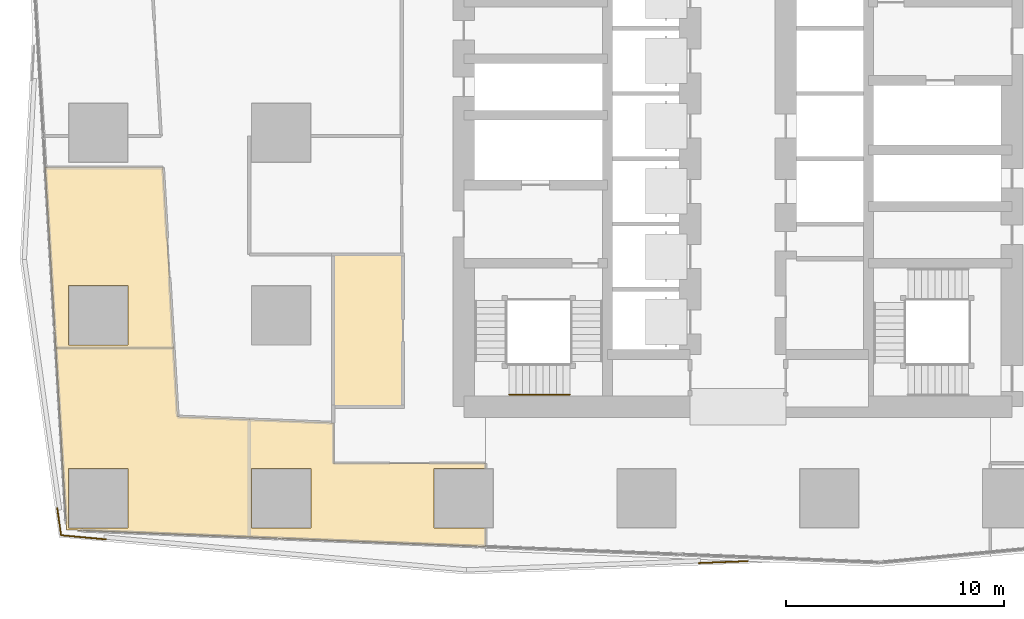
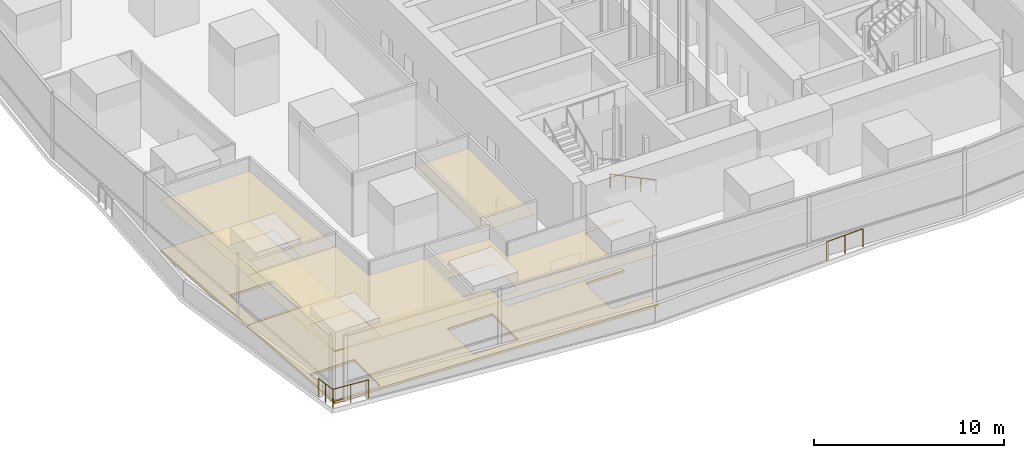
# One storey, part 19 of 39: 5 coverings, 4 railings.
"""IFC4 building model written with IfcOpenShell, lengths in metres."""

from ifc_helpers import new_model, si_unit, direction, frame, origin, origin_2d, place, context, subcontext, project, spatial, polyline, circle, outline, extrude, material, layer, layer_set, type_object, element, save


model = new_model("IFC4")

# Units and contexts
model_context = context("Model", 3, precision=1e-05, world=origin(), true_north=direction((0.0, 1.0)))
body_context = subcontext(model_context, "Body", "Model", "MODEL_VIEW")
ifc_project = project(units=[si_unit("LENGTHUNIT", "METRE"), si_unit("AREAUNIT", "SQUARE_METRE"), si_unit("VOLUMEUNIT", "CUBIC_METRE"), si_unit("PLANEANGLEUNIT", "RADIAN"), si_unit("MASSUNIT", "GRAM", prefix="KILO")], contexts=[model_context])

# Site, building, storey
site_placement = place(None, origin())
site = spatial("IfcSite", under=ifc_project, at=site_placement, CompositionType="ELEMENT")
building_placement = place(site_placement, origin())
building = spatial("IfcBuilding", under=site, at=building_placement, Name="Rekha Terrace Tower", CompositionType="ELEMENT")
storey_placement = place(building_placement, frame((0.0, 0.0, 168.199951171875)))
storey = spatial("IfcBuildingStorey", under=building, at=storey_placement, Name="L42", CompositionType="ELEMENT", Elevation=168.199951171875)

# Coverings
ifc_material_1 = material(Name="Mineral fibre tile in exposed grid", Category="finish")
ifc_layer_1 = layer(ifc_material_1, 0.02001953125)
ifc_layer_set_1 = layer_set([ifc_layer_1], Name="Mineral fibre tile in exposed grid")
covering_type_1 = type_object("IfcCoveringType", Name="CL1 600x1200 office grid ceiling", PredefinedType="CEILING", material=ifc_layer_set_1)
covering_1_placement = place(storey_placement, frame((0.0, 0.0, 3.330078125)))
element("IfcCovering", 1, at=covering_1_placement, inside=storey, type_object=covering_type_1, Name="Ceiling L42-14", PredefinedType="CEILING", context=body_context, shape_type="SweptSolid", body=[
    extrude(outline(polyline([(6.447021484375, 23.702880859375), (11.85595703125, 23.702880859375), (11.368896484375, 31.989990234375), (5.958984375, 31.989990234375), (6.447021484375, 23.702880859375)]), holes=[polyline([(9.764892578125, 23.8349609375), (7.034912109375, 23.8349609375), (7.034912109375, 26.56494140625), (9.764892578125, 26.56494140625), (9.764892578125, 23.8349609375)])]), origin(), (0.0, 0.0, 1.0), 0.02001953125),
])
covering_2_placement = place(storey_placement, frame((0.0, 0.0, 3.330078125)))
element("IfcCovering", 2, at=covering_2_placement, inside=storey, type_object=covering_type_1, Name="Ceiling L42-15", PredefinedType="CEILING", context=body_context, shape_type="SweptSolid", body=[
    extrude(outline(polyline([(12.0419921875, 20.5439453125), (11.85595703125, 23.701904296875), (6.447021484375, 23.701904296875), (6.93896484375, 15.343017578125), (15.342041015625, 15.008056640625), (26.198974609375, 14.573974609375), (26.198974609375, 15.43505859375), (23.8349609375, 15.43505859375), (23.8349609375, 18.1650390625), (26.198974609375, 18.1650390625), (26.198974609375, 18.39990234375), (19.199951171875, 18.39990234375), (19.199951171875, 20.258056640625), (15.340087890625, 20.412109375), (12.0419921875, 20.5439453125)]), holes=[polyline([(18.1650390625, 18.1650390625), (18.1650390625, 15.43505859375), (15.43505859375, 15.43505859375), (15.43505859375, 18.1650390625), (18.1650390625, 18.1650390625)]), polyline([(9.764892578125, 18.1650390625), (9.764892578125, 15.43505859375), (7.034912109375, 15.43505859375), (7.034912109375, 18.1650390625), (9.764892578125, 18.1650390625)])]), origin(), (0.0, 0.0, 1.0), 0.02001953125),
])
ifc_material_2 = material(Name="Fibre cement board", Category="finish")
ifc_layer_2 = layer(ifc_material_2, 0.014892578125)
ifc_layer_set_2 = layer_set([ifc_layer_2], Name="Fibre cement board")
covering_type_2 = type_object("IfcCoveringType", Name="CL2 moisture-resistant board ceiling", PredefinedType="CEILING", material=ifc_layer_set_2)
covering_3_placement = place(storey_placement, frame((0.0, 0.0, 3.3349609375)))
element("IfcCovering", 3, at=covering_3_placement, inside=storey, type_object=covering_type_2, Name="Ceiling L42-WCM", PredefinedType="CEILING", context=body_context, shape_type="SweptSolid", body=[
    extrude(outline(polyline([(22.39990234375, 28.0), (19.199951171875, 28.0), (19.199951171875, 21.0), (22.39990234375, 21.0), (22.39990234375, 28.0)])), origin(), (0.0, 0.0, 1.0), 0.01513671875),
])

# Railings
ifc_material_3 = material(Name="Steel guard with vertical balusters", Category="steel")
railing_type_1 = type_object("IfcRailingType", Name="GR2 refuge area guard 1200", PredefinedType="GUARDRAIL", material=ifc_material_3)
railing_1_placement = place(storey_placement, frame((6.51171875, 16.342529296875, 0.0)))
element("IfcRailing", 4, at=railing_1_placement, inside=storey, type_object=railing_type_1, Name="Ledge corner guard", PredefinedType="GUARDRAIL", context=body_context, shape_type="SweptSolid", body=[
    extrude(circle(Radius=0.02392578125, at=origin_2d()), frame((0.0, 0.0, 1.17578125), z_axis=(0.139634118543, -0.990203167506, 0.0), x_axis=(0.990203167506, 0.139634118543, 0.0)), (0.0, 0.0, 1.0), 1.262451171875),
    extrude(circle(Radius=0.02099609375, at=origin_2d()), origin(), (0.0, 0.0, 1.0), 1.15185546875),
    extrude(circle(Radius=0.02099609375, at=origin_2d()), frame((0.088134765625, -0.625, 0.0)), (0.0, 0.0, 1.0), 1.15185546875),
    extrude(circle(Radius=0.02099609375, at=origin_2d()), frame((0.17626953125, -1.25, 0.0)), (0.0, 0.0, 1.0), 1.15185546875),
])
railing_2_placement = place(storey_placement, frame((6.68798828125, 15.092529296875, 0.0)))
element("IfcRailing", 5, at=railing_2_placement, inside=storey, type_object=railing_type_1, Name="Ledge corner guard", PredefinedType="GUARDRAIL", context=body_context, shape_type="SweptSolid", body=[
    extrude(circle(Radius=0.02392578125, at=origin_2d()), frame((0.0, 0.0, 1.17578125), z_axis=(0.995894172569, -0.090525118302, 0.0), x_axis=(0.090525118302, 0.995894172569, 0.0)), (0.0, 0.0, 1.0), 2.0712890625),
    extrude(circle(Radius=0.02099609375, at=origin_2d()), origin(), (0.0, 0.0, 1.0), 1.15185546875),
    extrude(circle(Radius=0.02099609375, at=origin_2d()), frame((1.03125, -0.09375, 0.0)), (0.0, 0.0, 1.0), 1.15185546875),
    extrude(circle(Radius=0.02099609375, at=origin_2d()), frame((2.062744140625, -0.1875, 0.0)), (0.0, 0.0, 1.0), 1.15185546875),
])
railing_3_placement = place(storey_placement, frame((35.991943359375, 13.8154296875, 0.0)))
element("IfcRailing", 6, at=railing_3_placement, inside=storey, type_object=railing_type_1, Name="Ledge corner guard", PredefinedType="GUARDRAIL", context=body_context, shape_type="SweptSolid", body=[
    extrude(circle(Radius=0.02392578125, at=origin_2d()), frame((0.0, 0.0, 1.17578125), z_axis=(0.999245103914, 0.038848710451, 0.0), x_axis=(-0.038848710451, 0.999245103914, 0.0)), (0.0, 0.0, 1.0), 2.256103515625),
    extrude(circle(Radius=0.02099609375, at=origin_2d()), origin(), (0.0, 0.0, 1.0), 1.15185546875),
    extrude(circle(Radius=0.02099609375, at=origin_2d()), frame((1.127197265625, 0.0439453125, 0.0)), (0.0, 0.0, 1.0), 1.15185546875),
    extrude(circle(Radius=0.02099609375, at=origin_2d()), frame((2.25439453125, 0.087646484375, 0.0)), (0.0, 0.0, 1.0), 1.15185546875),
])
ifc_material_4 = material(Name="Stainless steel tube", Category="steel")
railing_type_2 = type_object("IfcRailingType", Name="HR1 900 stair handrail", PredefinedType="HANDRAIL", material=ifc_material_4)
railing_4_placement = place(storey_placement, frame((30.074951171875, 21.56005859375, 1.650146484375)))
element("IfcRailing", 7, at=railing_4_placement, inside=storey, type_object=railing_type_2, Name="Handrail ST1 L42 flight 2", PredefinedType="HANDRAIL", context=body_context, shape_type="SweptSolid", body=[
    extrude(circle(Radius=0.02392578125, at=origin_2d()), frame((0.0, 0.0, 0.8759765625), z_axis=(-0.900180171504, 0.0, 0.435517690606), x_axis=(0.0, -1.0, 0.0)), (0.0, 0.0, 1.0), 3.099365234375),
    extrude(circle(Radius=0.02099609375, at=origin_2d()), origin(), (0.0, 0.0, 1.0), 0.851806640625),
    extrude(circle(Radius=0.02099609375, at=origin_2d()), frame((-0.929931640625, 0.0, 0.449951171875)), (0.0, 0.0, 1.0), 0.851806640625),
    extrude(circle(Radius=0.02099609375, at=origin_2d()), frame((-1.860107421875, 0.0, 0.89990234375)), (0.0, 0.0, 1.0), 0.851806640625),
    extrude(circle(Radius=0.02099609375, at=origin_2d()), frame((-2.7900390625, 0.0, 1.349853515625)), (0.0, 0.0, 1.0), 0.851806640625),
])

# Coverings
ifc_material_5 = material(Name="Calcium sulphate panels on steel pedestals", Category="steel")
ifc_layer_3 = layer(ifc_material_5, 0.14990234375)
ifc_layer_set_3 = layer_set([ifc_layer_3], Name="Calcium sulphate panels on steel pedestals")
covering_type_3 = type_object("IfcCoveringType", Name="RF1 150 raised access floor", PredefinedType="FLOORING", material=ifc_layer_set_3)
covering_4_placement = place(storey_placement, origin())
element("IfcCovering", 8, at=covering_4_placement, inside=storey, type_object=covering_type_3, Name="Raised floor L42-14", PredefinedType="FLOORING", context=body_context, shape_type="SweptSolid", body=[
    extrude(outline(polyline([(6.447021484375, 23.702880859375), (11.85595703125, 23.702880859375), (11.368896484375, 31.989990234375), (5.958984375, 31.989990234375), (6.447021484375, 23.702880859375)]), holes=[polyline([(9.764892578125, 23.8349609375), (7.034912109375, 23.8349609375), (7.034912109375, 26.56494140625), (9.764892578125, 26.56494140625), (9.764892578125, 23.8349609375)])]), origin(), (0.0, 0.0, 1.0), 0.150146484375),
])
covering_5_placement = place(storey_placement, origin())
element("IfcCovering", 9, at=covering_5_placement, inside=storey, type_object=covering_type_3, Name="Raised floor L42-15", PredefinedType="FLOORING", context=body_context, shape_type="SweptSolid", body=[
    extrude(outline(polyline([(12.0419921875, 20.5439453125), (11.85595703125, 23.701904296875), (6.447021484375, 23.701904296875), (6.93896484375, 15.343017578125), (15.342041015625, 15.008056640625), (26.198974609375, 14.573974609375), (26.198974609375, 15.43505859375), (23.8349609375, 15.43505859375), (23.8349609375, 18.1650390625), (26.198974609375, 18.1650390625), (26.198974609375, 18.39990234375), (19.199951171875, 18.39990234375), (19.199951171875, 20.258056640625), (15.340087890625, 20.412109375), (12.0419921875, 20.5439453125)]), holes=[polyline([(18.1650390625, 18.1650390625), (18.1650390625, 15.43505859375), (15.43505859375, 15.43505859375), (15.43505859375, 18.1650390625), (18.1650390625, 18.1650390625)]), polyline([(9.764892578125, 18.1650390625), (9.764892578125, 15.43505859375), (7.034912109375, 15.43505859375), (7.034912109375, 18.1650390625), (9.764892578125, 18.1650390625)])]), origin(), (0.0, 0.0, 1.0), 0.150146484375),
])

save(model, "model.ifc")
